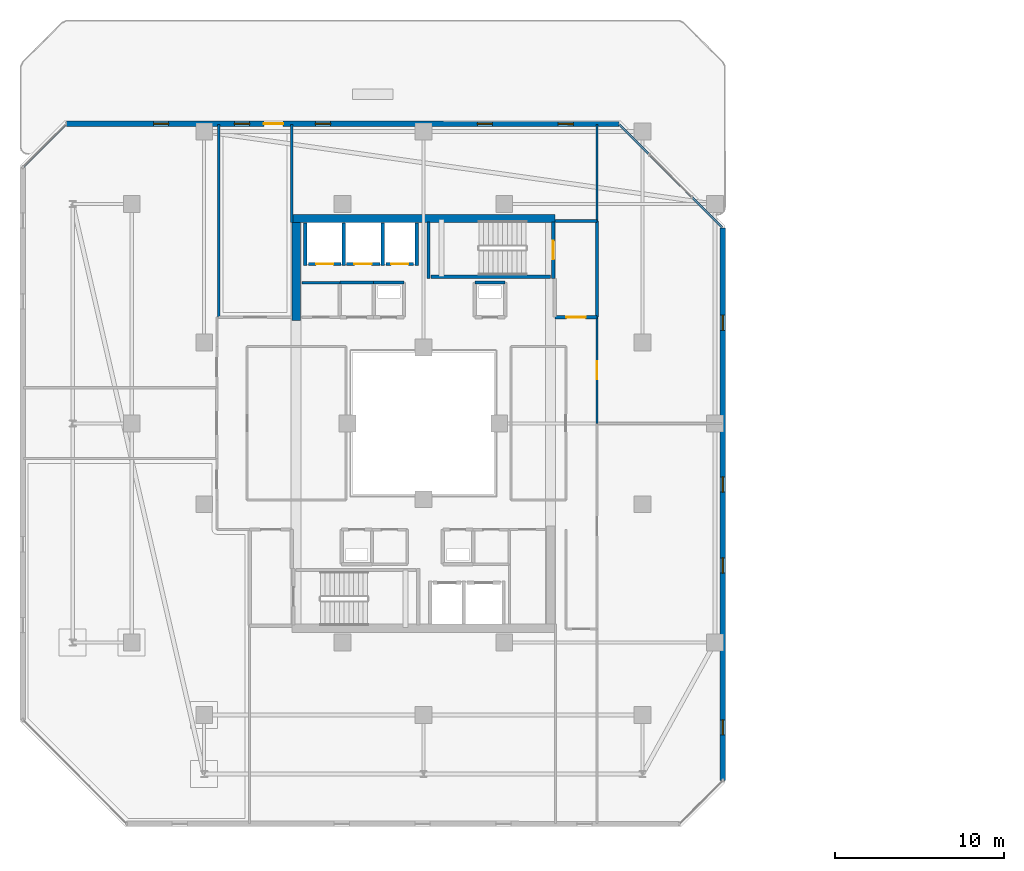
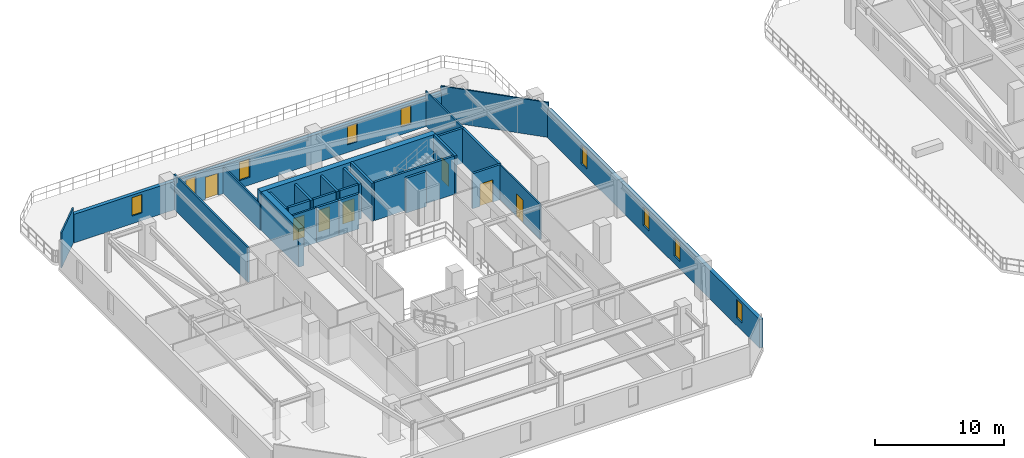
# One storey, part 20 of 29: 27 walls, 9 windows, 7 doors, 16 openings.
"""IFC4 building model written with IfcOpenShell, lengths in metres."""

from ifc_helpers import new_model, si_unit, direction, frame, frame_2d, origin, place, context, subcontext, project, spatial, rectangle, extrude, material, layer, layer_set, type_object, element, fill, save


model = new_model("IFC4")

# Units and contexts
model_context = context("Model", 3, precision=1e-05, world=origin(), true_north=direction((0.0, 1.0)))
body_context = subcontext(model_context, "Body", "Model", "MODEL_VIEW")
ifc_project = project(units=[si_unit("LENGTHUNIT", "METRE"), si_unit("AREAUNIT", "SQUARE_METRE"), si_unit("VOLUMEUNIT", "CUBIC_METRE"), si_unit("PLANEANGLEUNIT", "RADIAN"), si_unit("MASSUNIT", "GRAM", prefix="KILO")], contexts=[model_context])

# Site, building, storey
site_placement = place(None, origin())
site = spatial("IfcSite", under=ifc_project, at=site_placement, CompositionType="ELEMENT")
building_placement = place(site_placement, origin())
building = spatial("IfcBuilding", under=site, at=building_placement, Name="Thornwick Lancets Civic Towers", CompositionType="ELEMENT")
storey_placement = place(building_placement, frame((0.0, 0.0, 229.5)))
storey = spatial("IfcBuildingStorey", under=building, at=storey_placement, Name="L61", CompositionType="ELEMENT", Elevation=229.5)

# Wall, opening, door
ifc_material_1 = material(Name="Concrete blockwork C40/50", Category="masonry")
ifc_layer_1 = layer(ifc_material_1, 0.199951171875, Name="Concrete blockwork C40/50")
ifc_layer_set_1 = layer_set([ifc_layer_1], Name="Concrete blockwork C40/50")
wall_type_1 = type_object("IfcWallType", Name="WALL_COMP_200", PredefinedType="STANDARD", material=ifc_layer_set_1)
wall_1_placement = place(storey_placement, frame((24.919921875, 36.449951171875, 0.0), z_axis=(0.0, 0.0, 1.0), x_axis=(-1.0, 0.0, 0.0)))
wall_1 = element("IfcWall", 1, at=wall_1_placement, inside=storey, type_object=wall_type_1, Name="L61 Hoistway Front Wall FL-A2", PredefinedType="STANDARD", context=body_context, shape_type="SweptSolid", body=[
    extrude(rectangle(XDim=1.639892578125, YDim=0.199951171875, at=frame_2d((0.81982421875, 0.0))), origin(), (0.0, 0.0, 1.0), 3.300048828125),
])
opening_1_placement = place(wall_1_placement, frame((0.31005859375, 0.0, 0.0)))
opening_1 = element("IfcOpeningElement", 2, at=opening_1_placement, cuts=wall_1, Name="Opening LD-FL-A2", PredefinedType="OPENING", context=body_context, shape_type="SweptSolid", body=[
    extrude(rectangle(XDim=1.02001953125, YDim=2.06005859375, at=frame_2d((0.510009765625, 1.030029296875))), frame((0.0, 0.10986328125, 0.0), z_axis=(0.0, -1.0, 0.0), x_axis=(1.0, 0.0, 0.0)), (0.0, 0.0, 1.0), 0.219970703125),
])
ifc_material_2 = material(Name="Brushed bronze stainless steel", Category="steel")
door_type_1 = type_object("IfcDoorType", Name="DOOR_LIFT_SLIDE", OperationType="SLIDING_TO_LEFT", PredefinedType="DOOR", material=ifc_material_2)
door_1_placement = place(opening_1_placement, origin())
door_1 = element("IfcDoor", 3, at=door_1_placement, inside=storey, type_object=door_type_1, Name="L61 Sliding Lift Landing Door LD-FL-A2", OperationType="SLIDING_TO_LEFT", OverallHeight=2.06005859375, OverallWidth=1.02001953125, PredefinedType="DOOR", context=body_context, shape_type="SweptSolid", body=[
    extrude(rectangle(XDim=1.02001953125, YDim=2.06005859375, at=frame_2d((0.510009765625, 1.030029296875))), frame((0.0, 0.02490234375, 0.0), z_axis=(0.0, -1.0, 0.0), x_axis=(1.0, 0.0, 0.0)), (0.0, 0.0, 1.0), 0.050048828125),
])
fill(opening_1, door_1)

wall_2_placement = place(storey_placement, frame((22.919921875, 36.449951171875, 0.0), z_axis=(0.0, 0.0, 1.0), x_axis=(-1.0, 0.0, 0.0)))
wall_2 = element("IfcWall", 4, at=wall_2_placement, inside=storey, type_object=wall_type_1, Name="L61 Hoistway Front Wall PL-AH2", PredefinedType="STANDARD", context=body_context, shape_type="SweptSolid", body=[
    extrude(rectangle(XDim=1.989990234375, YDim=0.199951171875, at=frame_2d((0.9951171875, 0.0))), origin(), (0.0, 0.0, 1.0), 3.300048828125),
])
opening_2_placement = place(wall_2_placement, frame((0.485107421875, 0.0, 0.0)))
opening_2 = element("IfcOpeningElement", 5, at=opening_2_placement, cuts=wall_2, Name="Opening LD-PL-AH2", PredefinedType="OPENING", context=body_context, shape_type="SweptSolid", body=[
    extrude(rectangle(XDim=1.02001953125, YDim=2.06005859375, at=frame_2d((0.510009765625, 1.030029296875))), frame((0.0, 0.10986328125, 0.0), z_axis=(0.0, -1.0, 0.0), x_axis=(1.0, 0.0, 0.0)), (0.0, 0.0, 1.0), 0.219970703125),
])
door_2_placement = place(opening_2_placement, origin())
door_2 = element("IfcDoor", 6, at=door_2_placement, inside=storey, type_object=door_type_1, Name="L61 Sliding Lift Landing Door LD-PL-AH2", OperationType="SLIDING_TO_LEFT", OverallHeight=2.06005859375, OverallWidth=1.02001953125, PredefinedType="DOOR", context=body_context, shape_type="SweptSolid", body=[
    extrude(rectangle(XDim=1.02001953125, YDim=2.06005859375, at=frame_2d((0.510009765625, 1.030029296875))), frame((0.0, 0.02490234375, 0.0), z_axis=(0.0, -1.0, 0.0), x_axis=(1.0, 0.0, 0.0)), (0.0, 0.0, 1.0), 0.050048828125),
])
fill(opening_2, door_2)

wall_3_placement = place(storey_placement, frame((20.6201171875, 36.449951171875, 0.0), z_axis=(0.0, 0.0, 1.0), x_axis=(-1.0, 0.0, 0.0)))
wall_3 = element("IfcWall", 7, at=wall_3_placement, inside=storey, type_object=wall_type_1, Name="L61 Hoistway Front Wall PL-AH3", PredefinedType="STANDARD", context=body_context, shape_type="SweptSolid", body=[
    extrude(rectangle(XDim=1.940185546875, YDim=0.199951171875, at=frame_2d((0.97021484375, 0.0))), origin(), (0.0, 0.0, 1.0), 3.300048828125),
])
opening_3_placement = place(wall_3_placement, frame((0.4599609375, 0.0, 0.0)))
opening_3 = element("IfcOpeningElement", 8, at=opening_3_placement, cuts=wall_3, Name="Opening LD-PL-AH3", PredefinedType="OPENING", context=body_context, shape_type="SweptSolid", body=[
    extrude(rectangle(XDim=1.02001953125, YDim=2.06005859375, at=frame_2d((0.510009765625, 1.030029296875))), frame((0.0, 0.10986328125, 0.0), z_axis=(0.0, -1.0, 0.0), x_axis=(1.0, 0.0, 0.0)), (0.0, 0.0, 1.0), 0.219970703125),
])
door_3_placement = place(opening_3_placement, origin())
door_3 = element("IfcDoor", 9, at=door_3_placement, inside=storey, type_object=door_type_1, Name="L61 Sliding Lift Landing Door LD-PL-AH3", OperationType="SLIDING_TO_LEFT", OverallHeight=2.06005859375, OverallWidth=1.02001953125, PredefinedType="DOOR", context=body_context, shape_type="SweptSolid", body=[
    extrude(rectangle(XDim=1.02001953125, YDim=2.06005859375, at=frame_2d((0.510009765625, 1.030029296875))), frame((0.0, 0.02490234375, 0.0), z_axis=(0.0, -1.0, 0.0), x_axis=(1.0, 0.0, 0.0)), (0.0, 0.0, 1.0), 0.050048828125),
])
fill(opening_3, door_3)

# Walls
for number, where, z_axis, x_axis, name in (
    (10, (25.10009765625, 36.35205078125, 0.0), (0.0, 0.0, 1.0), (0.0, 1.0, 0.0), "L61 Hoistway Shaft Wall FL-A2 E"),
    (11, (23.10009765625, 36.35205078125, 0.0), (0.0, 0.0, 1.0), (0.0, 1.0, 0.0), "L61 Hoistway Shaft Wall FL-A2 W"),
    (12, (20.77490234375, 36.35205078125, 0.0), (0.0, 0.0, 1.0), (0.0, 1.0, 0.0), "L61 Hoistway Shaft Wall PL-AH2 W"),
    (13, (18.5, 36.35205078125, 0.0), (0.0, 0.0, 1.0), (0.0, 1.0, 0.0), "L61 Hoistway Shaft Wall PL-AH3 W"),
):
    element("IfcWall", number, at=place(storey_placement, frame(where, z_axis=z_axis, x_axis=x_axis)), inside=storey, type_object=wall_type_1, Name=name, PredefinedType="STANDARD", context=body_context, shape_type="SweptSolid", body=[
        extrude(rectangle(XDim=2.535888671875, YDim=0.199951171875, at=frame_2d((1.26806640625, 0.0))), origin(), (0.0, 0.0, 1.0), 3.300048828125),
    ])

# Wall, opening, door
wall_4_placement = place(storey_placement, frame((33.300048828125, 33.300048828125, 0.0), z_axis=(0.0, 0.0, 1.0), x_axis=(1.0, 0.0, 0.0)))
wall_4 = element("IfcWall", 14, at=wall_4_placement, inside=storey, type_object=wall_type_1, Name="L61 Partition L61-A-FFLOB2 E1", PredefinedType="STANDARD", context=body_context, shape_type="SweptSolid", body=[
    extrude(rectangle(XDim=2.5, YDim=0.199951171875, at=frame_2d((1.25, 0.0))), origin(), (0.0, 0.0, 1.0), 3.300048828125),
])
opening_4_placement = place(wall_4_placement, frame((0.675048828125, 0.0, 0.0)))
opening_4 = element("IfcOpeningElement", 15, at=opening_4_placement, cuts=wall_4, Name="Opening D-L61-2738", PredefinedType="OPENING", context=body_context, shape_type="SweptSolid", body=[
    extrude(rectangle(XDim=1.14990234375, YDim=2.10009765625, at=frame_2d((0.574951171875, 1.050048828125))), frame((0.0, 0.10986328125, 0.0), z_axis=(0.0, -1.0, 0.0), x_axis=(1.0, 0.0, 0.0)), (0.0, 0.0, 1.0), 0.219970703125),
])
ifc_material_3 = material(Name="Glazed fire-resisting steel", Category="steel")
door_type_2 = type_object("IfcDoorType", Name="DOOR_LOBBY_FD60", OperationType="NOTDEFINED", PredefinedType="DOOR", material=ifc_material_3)
door_4_placement = place(opening_4_placement, origin())
door_4 = element("IfcDoor", 16, at=door_4_placement, inside=storey, type_object=door_type_2, Name="L61 North Firefighting Lobby 2 Door", OperationType="SINGLE_SWING_LEFT", OverallHeight=2.10009765625, OverallWidth=1.14990234375, PredefinedType="DOOR", context=body_context, shape_type="SweptSolid", body=[
    extrude(rectangle(XDim=1.14990234375, YDim=2.10009765625, at=frame_2d((0.574951171875, 1.050048828125))), frame((0.0, 0.02490234375, 0.0), z_axis=(0.0, -1.0, 0.0), x_axis=(1.0, 0.0, 0.0)), (0.0, 0.0, 1.0), 0.050048828125),
])
fill(opening_4, door_4)

# Walls
wall_5_placement = place(storey_placement, frame((35.800048828125, 33.300048828125, 0.0), z_axis=(0.0, 0.0, 1.0), x_axis=(0.0, 1.0, 0.0)))
element("IfcWall", 17, at=wall_5_placement, inside=storey, type_object=wall_type_1, Name="L61 Partition L61-A-FFLOB2 E2", PredefinedType="STANDARD", context=body_context, shape_type="SweptSolid", body=[
    extrude(rectangle(XDim=5.699951171875, YDim=0.199951171875, at=frame_2d((2.85009765625, 0.0))), origin(), (0.0, 0.0, 1.0), 3.300048828125),
])
wall_6_placement = place(storey_placement, frame((35.800048828125, 39.0, 0.0), z_axis=(0.0, 0.0, 1.0), x_axis=(-1.0, 0.0, 0.0)))
element("IfcWall", 18, at=wall_6_placement, inside=storey, type_object=wall_type_1, Name="L61 Partition L61-A-FFLOB2 E3", PredefinedType="STANDARD", context=body_context, shape_type="SweptSolid", body=[
    extrude(rectangle(XDim=2.5, YDim=0.199951171875, at=frame_2d((1.25, 0.0))), origin(), (0.0, 0.0, 1.0), 3.300048828125),
])
for number, where, z_axis, x_axis, name in (
    (19, (24.35009765625, 35.35009765625, 0.0), (0.0, 0.0, 1.0), (-1.0, 0.0, 0.0), "L61 Partition L61-A-DUCT2 E3"),
    (20, (30.35009765625, 35.35009765625, 0.0), (0.0, 0.0, 1.0), (-1.0, 0.0, 0.0), "L61 Partition L61-A-RISER2 E3"),
):
    element("IfcWall", number, at=place(storey_placement, frame(where, z_axis=z_axis, x_axis=x_axis)), inside=storey, type_object=wall_type_1, Name=name, PredefinedType="STANDARD", context=body_context, shape_type="SweptSolid", body=[
        extrude(rectangle(XDim=1.800048828125, YDim=0.199951171875, at=frame_2d((0.89990234375, 0.0))), origin(), (0.0, 0.0, 1.0), 3.300048828125),
    ])
wall_7_placement = place(storey_placement, frame((20.550048828125, 35.35009765625, 0.0), z_axis=(0.0, 0.0, 1.0), x_axis=(1.0, 0.0, 0.0)))
element("IfcWall", 21, at=wall_7_placement, inside=storey, type_object=wall_type_1, Name="L61 Partition L61-A-STR E2", PredefinedType="STANDARD", context=body_context, shape_type="SweptSolid", body=[
    extrude(rectangle(XDim=2.0, YDim=0.199951171875, at=frame_2d((1.0, 0.0))), origin(), (0.0, 0.0, 1.0), 3.300048828125),
])
ifc_material_4 = material(Name="Concrete C50/60", Category="concrete")
ifc_layer_2 = layer(ifc_material_4, 0.5, Name="Concrete C50/60")
ifc_layer_set_2 = layer_set([ifc_layer_2], Name="Concrete C50/60")
wall_type_2 = type_object("IfcWallType", Name="WALL_CORE_500", PredefinedType="SHEAR", material=ifc_layer_set_2)
wall_8_placement = place(storey_placement, frame((17.699951171875, 39.14990234375, 0.0), z_axis=(0.0, 0.0, 1.0), x_axis=(1.0, 0.0, 0.0)))
element("IfcWall", 22, at=wall_8_placement, inside=storey, type_object=wall_type_2, Name="L61 Split Core A2 Shear Wall N", PredefinedType="SHEAR", context=body_context, shape_type="SweptSolid", body=[
    extrude(rectangle(XDim=15.60009765625, YDim=0.5, at=frame_2d((7.800048828125, 0.0))), origin(), (0.0, 0.0, 1.0), 3.60009765625),
])
wall_9_placement = place(storey_placement, frame((17.949951171875, 33.10009765625, 0.0), z_axis=(0.0, 0.0, 1.0), x_axis=(0.0, 1.0, 0.0)))
element("IfcWall", 23, at=wall_9_placement, inside=storey, type_object=wall_type_2, Name="L61 Split Core A2 Shear Wall W", PredefinedType="SHEAR", context=body_context, shape_type="SweptSolid", body=[
    extrude(rectangle(XDim=5.7998046875, YDim=0.5, at=frame_2d((2.89990234375, 0.0))), origin(), (0.0, 0.0, 1.0), 3.60009765625),
])

# Wall, openings, windows
ifc_material_5 = material(Name="Insulated buff terracotta rainscreen on concrete C40/50", Category="masonry")
ifc_layer_3 = layer(ifc_material_5, 0.320068359375, Name="Insulated buff terracotta rainscreen on concrete C40/50")
ifc_layer_set_3 = layer_set([ifc_layer_3], Name="Insulated buff terracotta rainscreen on concrete C40/50")
wall_type_3 = type_object("IfcWallType", Name="WALL_EXT_TERRA_320", PredefinedType="STANDARD", material=ifc_layer_set_3)
wall_10_placement = place(storey_placement, frame((43.2646484375, 5.818603515625, 0.0), z_axis=(0.0, 0.0, 1.0), x_axis=(-0.000364968916, 0.999999933399, 0.0)))
wall_10 = element("IfcWall", 24, at=wall_10_placement, inside=storey, type_object=wall_type_3, Name="L61 Tower A Terracotta Facade Wall E2", PredefinedType="STANDARD", context=body_context, shape_type="SweptSolid", body=[
    extrude(rectangle(XDim=32.77783203125, YDim=0.320068359375, at=frame_2d((16.388916015625, 0.0))), origin(), (0.0, 0.0, 1.0), 2.699951171875),
])
opening_5_placement = place(wall_10_placement, frame((2.699951171875, 0.0, 0.719970703125)))
opening_5 = element("IfcOpeningElement", 25, at=opening_5_placement, cuts=wall_10, Name="Opening WL-01", PredefinedType="OPENING", context=body_context, shape_type="SweptSolid", body=[
    extrude(rectangle(XDim=0.89990234375, YDim=1.75, at=frame_2d((0.449951171875, 0.875))), frame((0.0, 0.169921875, 0.0), z_axis=(0.0, -1.0, 0.0), x_axis=(1.0, 0.0, 0.0)), (0.0, 0.0, 1.0), 0.340087890625),
])
opening_6_placement = place(wall_10_placement, frame((12.300048828125, 0.0, 0.719970703125)))
opening_6 = element("IfcOpeningElement", 26, at=opening_6_placement, cuts=wall_10, Name="Opening WL-01", PredefinedType="OPENING", context=body_context, shape_type="SweptSolid", body=[
    extrude(rectangle(XDim=0.89990234375, YDim=1.75, at=frame_2d((0.449951171875, 0.875))), frame((0.0, 0.169921875, 0.0), z_axis=(0.0, -1.0, 0.0), x_axis=(1.0, 0.0, 0.0)), (0.0, 0.0, 1.0), 0.340087890625),
])
opening_7_placement = place(wall_10_placement, frame((17.10009765625, 0.0, 0.719970703125)))
opening_7 = element("IfcOpeningElement", 27, at=opening_7_placement, cuts=wall_10, Name="Opening WL-01", PredefinedType="OPENING", context=body_context, shape_type="SweptSolid", body=[
    extrude(rectangle(XDim=0.89990234375, YDim=1.75, at=frame_2d((0.449951171875, 0.875))), frame((0.0, 0.169921875, 0.0), z_axis=(0.0, -1.0, 0.0), x_axis=(1.0, 0.0, 0.0)), (0.0, 0.0, 1.0), 0.340087890625),
])
opening_8_placement = place(wall_10_placement, frame((26.699951171875, 0.0, 0.719970703125)))
opening_8 = element("IfcOpeningElement", 28, at=opening_8_placement, cuts=wall_10, Name="Opening WL-01", PredefinedType="OPENING", context=body_context, shape_type="SweptSolid", body=[
    extrude(rectangle(XDim=0.89990234375, YDim=1.75, at=frame_2d((0.449951171875, 0.875))), frame((0.0, 0.169921875, 0.0), z_axis=(0.0, -1.0, 0.0), x_axis=(1.0, 0.0, 0.0)), (0.0, 0.0, 1.0), 0.340087890625),
])
ifc_material_6 = material(Name="Clear low-e double glazing in bronze frame", Category="glass")
window_type = type_object("IfcWindowType", Name="WIN_LANCET_900", PartitioningType="SINGLE_PANEL", PredefinedType="WINDOW", material=ifc_material_6)
window_1_placement = place(opening_5_placement, origin())
window_1 = element("IfcWindow", 29, at=window_1_placement, inside=storey, type_object=window_type, Name="L61 Tower A Staggered Lancet Window E2-1", OverallHeight=1.75, OverallWidth=0.89990234375, PartitioningType="SINGLE_PANEL", PredefinedType="WINDOW", context=body_context, shape_type="SweptSolid", body=[
    extrude(rectangle(XDim=0.89990234375, YDim=1.75, at=frame_2d((0.449951171875, 0.875))), frame((0.0, 0.030029296875, 0.0), z_axis=(0.0, -1.0, 0.0), x_axis=(1.0, 0.0, 0.0)), (0.0, 0.0, 1.0), 0.06005859375),
])
fill(opening_5, window_1)
window_2_placement = place(opening_6_placement, origin())
window_2 = element("IfcWindow", 30, at=window_2_placement, inside=storey, type_object=window_type, Name="L61 Tower A Staggered Lancet Window E2-2", OverallHeight=1.75, OverallWidth=0.89990234375, PartitioningType="SINGLE_PANEL", PredefinedType="WINDOW", context=body_context, shape_type="SweptSolid", body=[
    extrude(rectangle(XDim=0.89990234375, YDim=1.75, at=frame_2d((0.449951171875, 0.875))), frame((0.0, 0.030029296875, 0.0), z_axis=(0.0, -1.0, 0.0), x_axis=(1.0, 0.0, 0.0)), (0.0, 0.0, 1.0), 0.06005859375),
])
fill(opening_6, window_2)
window_3_placement = place(opening_7_placement, origin())
window_3 = element("IfcWindow", 31, at=window_3_placement, inside=storey, type_object=window_type, Name="L61 Tower A Staggered Lancet Window E2-3", OverallHeight=1.75, OverallWidth=0.89990234375, PartitioningType="SINGLE_PANEL", PredefinedType="WINDOW", context=body_context, shape_type="SweptSolid", body=[
    extrude(rectangle(XDim=0.89990234375, YDim=1.75, at=frame_2d((0.449951171875, 0.875))), frame((0.0, 0.030029296875, 0.0), z_axis=(0.0, -1.0, 0.0), x_axis=(1.0, 0.0, 0.0)), (0.0, 0.0, 1.0), 0.06005859375),
])
fill(opening_7, window_3)
window_4_placement = place(opening_8_placement, origin())
window_4 = element("IfcWindow", 32, at=window_4_placement, inside=storey, type_object=window_type, Name="L61 Tower A Staggered Lancet Window E2-4", OverallHeight=1.75, OverallWidth=0.89990234375, PartitioningType="SINGLE_PANEL", PredefinedType="WINDOW", context=body_context, shape_type="SweptSolid", body=[
    extrude(rectangle(XDim=0.89990234375, YDim=1.75, at=frame_2d((0.449951171875, 0.875))), frame((0.0, 0.030029296875, 0.0), z_axis=(0.0, -1.0, 0.0), x_axis=(1.0, 0.0, 0.0)), (0.0, 0.0, 1.0), 0.06005859375),
])
fill(opening_8, window_4)

# Wall, openings, door, windows
wall_11_placement = place(storey_placement, frame((37.096435546875, 44.752685546875, 0.0), z_axis=(0.0, 0.0, 1.0), x_axis=(-0.999999933399, 0.000364968916, 0.0)))
wall_11 = element("IfcWall", 33, at=wall_11_placement, inside=storey, type_object=wall_type_3, Name="L61 Tower A Terracotta Facade Wall E4", PredefinedType="STANDARD", context=body_context, shape_type="SweptSolid", body=[
    extrude(rectangle(XDim=32.77783203125, YDim=0.320068359375, at=frame_2d((16.388916015625, 0.0))), origin(), (0.0, 0.0, 1.0), 2.699951171875),
])
opening_9_placement = place(wall_11_placement, frame((19.913818359375, 0.0, 0.0)))
opening_9 = element("IfcOpeningElement", 34, at=opening_9_placement, cuts=wall_11, Name="Opening D-SG-L61-A4", PredefinedType="OPENING", context=body_context, shape_type="SweptSolid", body=[
    extrude(rectangle(XDim=1.14990234375, YDim=2.10009765625, at=frame_2d((0.574951171875, 1.050048828125))), frame((0.0, 0.169921875, 0.0), z_axis=(0.0, -1.0, 0.0), x_axis=(1.0, 0.0, 0.0)), (0.0, 0.0, 1.0), 0.340087890625),
])
opening_10_placement = place(wall_11_placement, frame((2.699951171875, 0.0, 0.719970703125)))
opening_10 = element("IfcOpeningElement", 35, at=opening_10_placement, cuts=wall_11, Name="Opening WL-01", PredefinedType="OPENING", context=body_context, shape_type="SweptSolid", body=[
    extrude(rectangle(XDim=0.89990234375, YDim=1.75, at=frame_2d((0.449951171875, 0.875))), frame((0.0, 0.169921875, 0.0), z_axis=(0.0, -1.0, 0.0), x_axis=(1.0, 0.0, 0.0)), (0.0, 0.0, 1.0), 0.340087890625),
])
opening_11_placement = place(wall_11_placement, frame((7.5, 0.0, 0.719970703125)))
opening_11 = element("IfcOpeningElement", 36, at=opening_11_placement, cuts=wall_11, Name="Opening WL-01", PredefinedType="OPENING", context=body_context, shape_type="SweptSolid", body=[
    extrude(rectangle(XDim=0.89990234375, YDim=1.75, at=frame_2d((0.449951171875, 0.875))), frame((0.0, 0.169921875, 0.0), z_axis=(0.0, -1.0, 0.0), x_axis=(1.0, 0.0, 0.0)), (0.0, 0.0, 1.0), 0.340087890625),
])
opening_12_placement = place(wall_11_placement, frame((17.10009765625, 0.0, 0.719970703125)))
opening_12 = element("IfcOpeningElement", 37, at=opening_12_placement, cuts=wall_11, Name="Opening WL-01", PredefinedType="OPENING", context=body_context, shape_type="SweptSolid", body=[
    extrude(rectangle(XDim=0.89990234375, YDim=1.75, at=frame_2d((0.449951171875, 0.875))), frame((0.0, 0.169921875, 0.0), z_axis=(0.0, -1.0, 0.0), x_axis=(1.0, 0.0, 0.0)), (0.0, 0.0, 1.0), 0.340087890625),
])
opening_13_placement = place(wall_11_placement, frame((21.89990234375, 0.0, 0.719970703125)))
opening_13 = element("IfcOpeningElement", 38, at=opening_13_placement, cuts=wall_11, Name="Opening WL-01", PredefinedType="OPENING", context=body_context, shape_type="SweptSolid", body=[
    extrude(rectangle(XDim=0.89990234375, YDim=1.75, at=frame_2d((0.449951171875, 0.875))), frame((0.0, 0.169921875, 0.0), z_axis=(0.0, -1.0, 0.0), x_axis=(1.0, 0.0, 0.0)), (0.0, 0.0, 1.0), 0.340087890625),
])
opening_14_placement = place(wall_11_placement, frame((26.699951171875, 0.0, 0.719970703125)))
opening_14 = element("IfcOpeningElement", 39, at=opening_14_placement, cuts=wall_11, Name="Opening WL-01", PredefinedType="OPENING", context=body_context, shape_type="SweptSolid", body=[
    extrude(rectangle(XDim=0.89990234375, YDim=1.75, at=frame_2d((0.449951171875, 0.875))), frame((0.0, 0.169921875, 0.0), z_axis=(0.0, -1.0, 0.0), x_axis=(1.0, 0.0, 0.0)), (0.0, 0.0, 1.0), 0.340087890625),
])
ifc_material_7 = material(Name="Thermally broken glazed terrace doorset")
door_type_3 = type_object("IfcDoorType", Name="DOOR_TERRACE_1200", OperationType="NOTDEFINED", PredefinedType="DOOR", material=ifc_material_7)
door_5_placement = place(opening_9_placement, origin())
door_5 = element("IfcDoor", 40, at=door_5_placement, inside=storey, type_object=door_type_3, Name="L61 Tower A Sky-Garden Terrace Door", OperationType="SINGLE_SWING_RIGHT", OverallHeight=2.10009765625, OverallWidth=1.14990234375, PredefinedType="DOOR", context=body_context, shape_type="SweptSolid", body=[
    extrude(rectangle(XDim=1.14990234375, YDim=2.10009765625, at=frame_2d((0.574951171875, 1.050048828125))), frame((0.0, 0.02490234375, 0.0), z_axis=(0.0, -1.0, 0.0), x_axis=(1.0, 0.0, 0.0)), (0.0, 0.0, 1.0), 0.050048828125),
])
fill(opening_9, door_5)
window_5_placement = place(opening_10_placement, origin())
window_5 = element("IfcWindow", 41, at=window_5_placement, inside=storey, type_object=window_type, Name="L61 Tower A Staggered Lancet Window E4-1", OverallHeight=1.75, OverallWidth=0.89990234375, PartitioningType="SINGLE_PANEL", PredefinedType="WINDOW", context=body_context, shape_type="SweptSolid", body=[
    extrude(rectangle(XDim=0.89990234375, YDim=1.75, at=frame_2d((0.449951171875, 0.875))), frame((0.0, 0.030029296875, 0.0), z_axis=(0.0, -1.0, 0.0), x_axis=(1.0, 0.0, 0.0)), (0.0, 0.0, 1.0), 0.06005859375),
])
fill(opening_10, window_5)
window_6_placement = place(opening_11_placement, origin())
window_6 = element("IfcWindow", 42, at=window_6_placement, inside=storey, type_object=window_type, Name="L61 Tower A Staggered Lancet Window E4-2", OverallHeight=1.75, OverallWidth=0.89990234375, PartitioningType="SINGLE_PANEL", PredefinedType="WINDOW", context=body_context, shape_type="SweptSolid", body=[
    extrude(rectangle(XDim=0.89990234375, YDim=1.75, at=frame_2d((0.449951171875, 0.875))), frame((0.0, 0.030029296875, 0.0), z_axis=(0.0, -1.0, 0.0), x_axis=(1.0, 0.0, 0.0)), (0.0, 0.0, 1.0), 0.06005859375),
])
fill(opening_11, window_6)
window_7_placement = place(opening_12_placement, origin())
window_7 = element("IfcWindow", 43, at=window_7_placement, inside=storey, type_object=window_type, Name="L61 Tower A Staggered Lancet Window E4-3", OverallHeight=1.75, OverallWidth=0.89990234375, PartitioningType="SINGLE_PANEL", PredefinedType="WINDOW", context=body_context, shape_type="SweptSolid", body=[
    extrude(rectangle(XDim=0.89990234375, YDim=1.75, at=frame_2d((0.449951171875, 0.875))), frame((0.0, 0.030029296875, 0.0), z_axis=(0.0, -1.0, 0.0), x_axis=(1.0, 0.0, 0.0)), (0.0, 0.0, 1.0), 0.06005859375),
])
fill(opening_12, window_7)
window_8_placement = place(opening_13_placement, origin())
window_8 = element("IfcWindow", 44, at=window_8_placement, inside=storey, type_object=window_type, Name="L61 Tower A Staggered Lancet Window E4-4", OverallHeight=1.75, OverallWidth=0.89990234375, PartitioningType="SINGLE_PANEL", PredefinedType="WINDOW", context=body_context, shape_type="SweptSolid", body=[
    extrude(rectangle(XDim=0.89990234375, YDim=1.75, at=frame_2d((0.449951171875, 0.875))), frame((0.0, 0.030029296875, 0.0), z_axis=(0.0, -1.0, 0.0), x_axis=(1.0, 0.0, 0.0)), (0.0, 0.0, 1.0), 0.06005859375),
])
fill(opening_13, window_8)
window_9_placement = place(opening_14_placement, origin())
window_9 = element("IfcWindow", 45, at=window_9_placement, inside=storey, type_object=window_type, Name="L61 Tower A Staggered Lancet Window E4-5", OverallHeight=1.75, OverallWidth=0.89990234375, PartitioningType="SINGLE_PANEL", PredefinedType="WINDOW", context=body_context, shape_type="SweptSolid", body=[
    extrude(rectangle(XDim=0.89990234375, YDim=1.75, at=frame_2d((0.449951171875, 0.875))), frame((0.0, 0.030029296875, 0.0), z_axis=(0.0, -1.0, 0.0), x_axis=(1.0, 0.0, 0.0)), (0.0, 0.0, 1.0), 0.06005859375),
])
fill(opening_14, window_9)

# Walls
ifc_material_8 = material(Name="Acoustic gypsum board partition")
ifc_layer_4 = layer(ifc_material_8, 0.1201171875, Name="Acoustic gypsum board partition")
ifc_layer_set_4 = layer_set([ifc_layer_4], Name="Acoustic gypsum board partition")
wall_type_4 = type_object("IfcWallType", Name="WALL_PART_120", PredefinedType="PARTITIONING", material=ifc_layer_set_4)
wall_12_placement = place(storey_placement, frame((1.780029296875, 42.225341796875, 0.0), z_axis=(0.0, 0.0, 1.0), x_axis=(0.707106781187, 0.707106781187, 0.0)))
element("IfcWall", 46, at=wall_12_placement, inside=storey, type_object=wall_type_4, Name="L61 Partition L61-A-W2B E2", PredefinedType="PARTITIONING", context=body_context, shape_type="SweptSolid", body=[
    extrude(rectangle(XDim=3.52783203125, YDim=0.1201171875, at=frame_2d((1.763916015625, 0.0))), origin(), (0.0, 0.0, 1.0), 3.300048828125),
])
wall_13_placement = place(storey_placement, frame((35.800048828125, 39.0, 0.0), z_axis=(0.0, 0.0, 1.0), x_axis=(0.0, 1.0, 0.0)))
element("IfcWall", 47, at=wall_13_placement, inside=storey, type_object=wall_type_4, Name="L61 Partition L61-A-E2 E2", PredefinedType="PARTITIONING", context=body_context, shape_type="SweptSolid", body=[
    extrude(rectangle(XDim=5.719970703125, YDim=0.1201171875, at=frame_2d((2.85986328125, 0.0))), origin(), (0.0, 0.0, 1.0), 3.300048828125),
])
wall_14_placement = place(storey_placement, frame((37.12548828125, 44.719970703125, 0.0), z_axis=(0.0, 0.0, 1.0), x_axis=(0.707106781187, -0.707106781187, 0.0)))
element("IfcWall", 48, at=wall_14_placement, inside=storey, type_object=wall_type_4, Name="L61 Partition L61-A-E2 E4", PredefinedType="PARTITIONING", context=body_context, shape_type="SweptSolid", body=[
    extrude(rectangle(XDim=8.618896484375, YDim=0.1201171875, at=frame_2d((4.3095703125, 0.0))), origin(), (0.0, 0.0, 1.0), 3.300048828125),
])

# Wall, opening, door
wall_15_placement = place(storey_placement, frame((35.800048828125, 27.0, 0.0), z_axis=(0.0, 0.0, 1.0), x_axis=(0.0, 1.0, 0.0)))
wall_15 = element("IfcWall", 49, at=wall_15_placement, inside=storey, type_object=wall_type_4, Name="L61 Partition L61-A-E2 E7", PredefinedType="PARTITIONING", context=body_context, shape_type="SweptSolid", body=[
    extrude(rectangle(XDim=6.300048828125, YDim=0.1201171875, at=frame_2d((3.14990234375, 0.0))), origin(), (0.0, 0.0, 1.0), 3.300048828125),
])
opening_15_placement = place(wall_15_placement, frame((2.625, 0.0, 0.0)))
opening_15 = element("IfcOpeningElement", 50, at=opening_15_placement, cuts=wall_15, Name="Opening D-L61-2766", PredefinedType="OPENING", context=body_context, shape_type="SweptSolid", body=[
    extrude(rectangle(XDim=1.050048828125, YDim=2.10009765625, at=frame_2d((0.52490234375, 1.050048828125))), frame((0.0, 0.070068359375, 0.0), z_axis=(0.0, -1.0, 0.0), x_axis=(1.0, 0.0, 0.0)), (0.0, 0.0, 1.0), 0.14013671875),
])
ifc_material_9 = material(Name="Glazed European oak executive doorset")
door_type_4 = type_object("IfcDoorType", Name="DOOR_OFFICE_1050", OperationType="NOTDEFINED", PredefinedType="DOOR", material=ifc_material_9)
door_6_placement = place(opening_15_placement, origin())
door_6 = element("IfcDoor", 51, at=door_6_placement, inside=storey, type_object=door_type_4, Name="L61 Tower A Visitors Reception and Waiting Door", OperationType="SINGLE_SWING_LEFT", OverallHeight=2.10009765625, OverallWidth=1.050048828125, PredefinedType="DOOR", context=body_context, shape_type="SweptSolid", body=[
    extrude(rectangle(XDim=1.050048828125, YDim=2.10009765625, at=frame_2d((0.52490234375, 1.050048828125))), frame((0.0, 0.02490234375, 0.0), z_axis=(0.0, -1.0, 0.0), x_axis=(1.0, 0.0, 0.0)), (0.0, 0.0, 1.0), 0.050048828125),
])
fill(opening_15, door_6)

# Walls
ifc_material_10 = material(Name="Twin-stud acoustic gypsum board")
ifc_layer_5 = layer(ifc_material_10, 0.14990234375, Name="Twin-stud acoustic gypsum board")
ifc_layer_set_5 = layer_set([ifc_layer_5], Name="Twin-stud acoustic gypsum board")
wall_type_5 = type_object("IfcWallType", Name="WALL_PART_150", PredefinedType="PARTITIONING", material=ifc_layer_set_5)
wall_16_placement = place(storey_placement, frame((20.550048828125, 35.35009765625, 0.0), z_axis=(0.0, 0.0, 1.0), x_axis=(-1.0, 0.0, 0.0)))
element("IfcWall", 52, at=wall_16_placement, inside=storey, type_object=wall_type_5, Name="L61 Partition L61-A-AWC E3", PredefinedType="PARTITIONING", context=body_context, shape_type="SweptSolid", body=[
    extrude(rectangle(XDim=2.25, YDim=0.14990234375, at=frame_2d((1.125, 0.0))), origin(), (0.0, 0.0, 1.0), 3.300048828125),
])
wall_17_placement = place(storey_placement, frame((13.35009765625, 33.300048828125, 0.0), z_axis=(0.0, 0.0, 1.0), x_axis=(0.0, 1.0, 0.0)))
element("IfcWall", 53, at=wall_17_placement, inside=storey, type_object=wall_type_5, Name="L61 Partition L61-A-RECLAIM-M1 E1", PredefinedType="PARTITIONING", context=body_context, shape_type="SweptSolid", body=[
    extrude(rectangle(XDim=11.419921875, YDim=0.14990234375, at=frame_2d((5.7099609375, 0.0))), origin(), (0.0, 0.0, 1.0), 3.300048828125),
])
wall_18_placement = place(storey_placement, frame((17.699951171875, 44.719970703125, 0.0), z_axis=(0.0, 0.0, 1.0), x_axis=(0.0, -1.0, 0.0)))
element("IfcWall", 54, at=wall_18_placement, inside=storey, type_object=wall_type_5, Name="L61 Partition L61-A-RECLAIM-M1 E3", PredefinedType="PARTITIONING", context=body_context, shape_type="SweptSolid", body=[
    extrude(rectangle(XDim=5.820068359375, YDim=0.14990234375, at=frame_2d((2.91015625, 0.0))), origin(), (0.0, 0.0, 1.0), 2.5048828125),
])

# Wall, opening, door
ifc_material_11 = material(Name="Concrete C40/50", Category="concrete")
ifc_layer_6 = layer(ifc_material_11, 0.199951171875, Name="Concrete C40/50")
ifc_layer_set_6 = layer_set([ifc_layer_6], Name="Concrete C40/50")
wall_type_6 = type_object("IfcWallType", Name="WALL_SHAFT_200", PredefinedType="SHEAR", material=ifc_layer_set_6)
wall_19_placement = place(storey_placement, frame((33.199951171875, 38.949951171875, 0.0), z_axis=(0.0, 0.0, 1.0), x_axis=(0.0, -1.0, 0.0)))
wall_19 = element("IfcWall", 55, at=wall_19_placement, inside=storey, type_object=wall_type_6, Name="L61 ST-A2 Fire Stair Core Wall NEAR", PredefinedType="SHEAR", context=body_context, shape_type="SweptSolid", body=[
    extrude(rectangle(XDim=3.349853515625, YDim=0.199951171875, at=frame_2d((1.6748046875, 0.0))), origin(), (0.0, 0.0, 1.0), 3.60009765625),
])
opening_16_placement = place(wall_19_placement, frame((1.125, 0.0, 0.0)))
opening_16 = element("IfcOpeningElement", 56, at=opening_16_placement, cuts=wall_19, Name="Opening D-ST-A2-L61", PredefinedType="OPENING", context=body_context, shape_type="SweptSolid", body=[
    extrude(rectangle(XDim=1.10009765625, YDim=2.10009765625, at=frame_2d((0.550048828125, 1.050048828125))), frame((0.0, 0.10986328125, 0.0), z_axis=(0.0, -1.0, 0.0), x_axis=(1.0, 0.0, 0.0)), (0.0, 0.0, 1.0), 0.219970703125),
])
ifc_material_12 = material(Name="Fire-resisting steel and hardwood", Category="steel")
door_type_5 = type_object("IfcDoorType", Name="DOOR_STAIR_FD60", OperationType="NOTDEFINED", PredefinedType="DOOR", material=ifc_material_12)
door_7_placement = place(opening_16_placement, origin())
door_7 = element("IfcDoor", 57, at=door_7_placement, inside=storey, type_object=door_type_5, Name="L61 ST-A2 Exit Stair Door", OperationType="SINGLE_SWING_LEFT", OverallHeight=2.10009765625, OverallWidth=1.10009765625, PredefinedType="DOOR", context=body_context, shape_type="SweptSolid", body=[
    extrude(rectangle(XDim=1.10009765625, YDim=2.10009765625, at=frame_2d((0.550048828125, 1.050048828125))), frame((0.0, 0.02490234375, 0.0), z_axis=(0.0, -1.0, 0.0), x_axis=(1.0, 0.0, 0.0)), (0.0, 0.0, 1.0), 0.050048828125),
])
fill(opening_16, door_7)

# Walls
wall_20_placement = place(storey_placement, frame((25.800048828125, 35.60009765625, 0.0), z_axis=(0.0, 0.0, 1.0), x_axis=(0.0, 1.0, 0.0)))
element("IfcWall", 58, at=wall_20_placement, inside=storey, type_object=wall_type_6, Name="L61 ST-A2 Fire Stair Core Wall FAR", PredefinedType="SHEAR", context=body_context, shape_type="SweptSolid", body=[
    extrude(rectangle(XDim=3.349853515625, YDim=0.199951171875, at=frame_2d((1.6748046875, 0.0))), origin(), (0.0, 0.0, 1.0), 3.60009765625),
])
wall_21_placement = place(storey_placement, frame((25.949951171875, 35.702880859375, 0.0), z_axis=(0.0, 0.0, 1.0), x_axis=(1.0, 0.0, 0.0)))
element("IfcWall", 59, at=wall_21_placement, inside=storey, type_object=wall_type_6, Name="L61 ST-A2 Fire Stair Core Wall RIGHT", PredefinedType="SHEAR", context=body_context, shape_type="SweptSolid", body=[
    extrude(rectangle(XDim=7.10009765625, YDim=0.199951171875, at=frame_2d((3.550048828125, 0.0))), origin(), (0.0, 0.0, 1.0), 3.60009765625),
])

save(model, "model.ifc")
